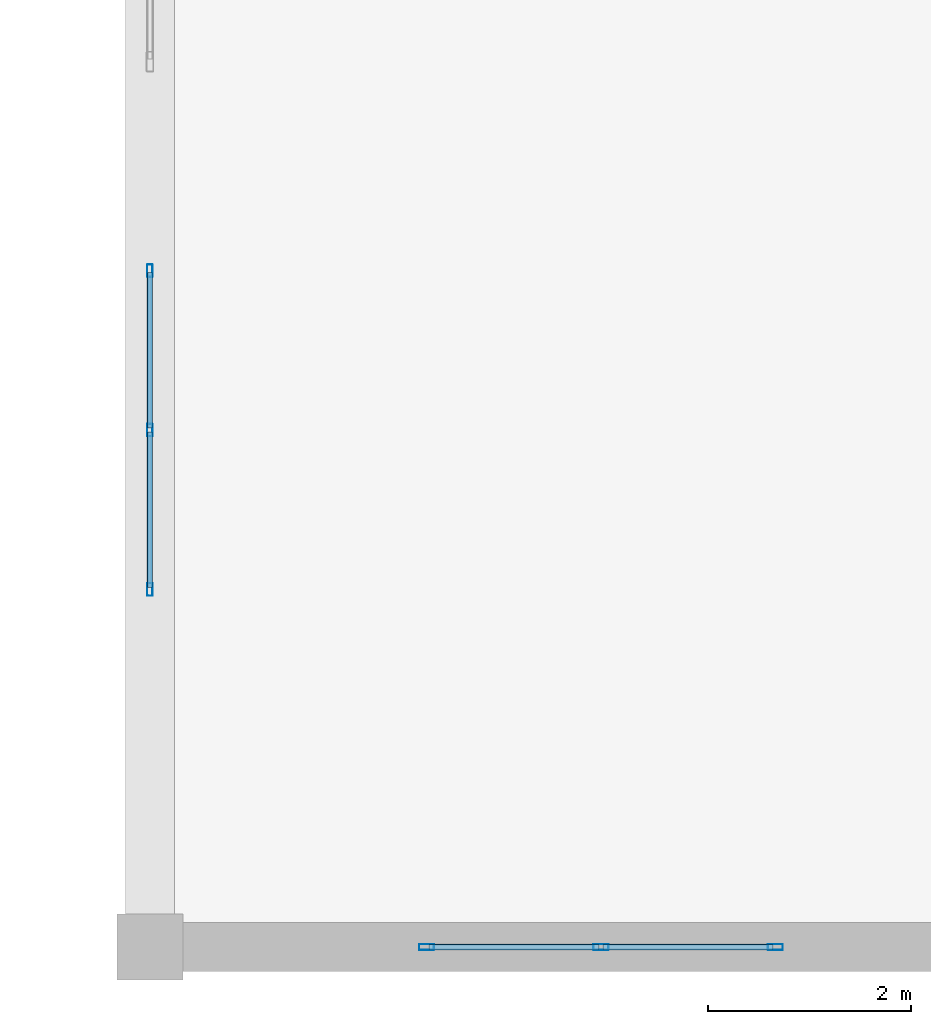
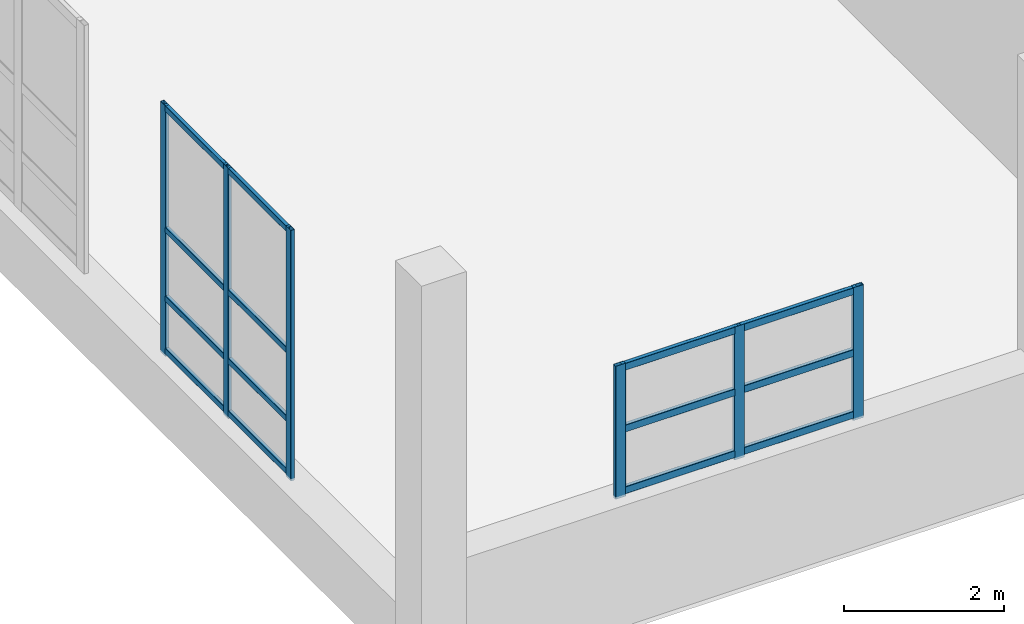
# One storey, part 9 of 197: 20 members, 2 elements without a shape of their own.
"""IFC4 building model written with IfcOpenShell, lengths in metres."""

from ifc_helpers import new_model, si_unit, derived_unit, direction, frame, origin, origin_2d, place, context, subcontext, project, spatial, hollow_rectangle, extrude, material, layer, layer_set, material_profile, profile_set, type_object, element, aggregate, save


model = new_model("IFC4")

# Units and contexts
model_context = context("Model", 3, precision=1e-05, world=origin(), true_north=direction((0.0, 1.0)))
body_context = subcontext(model_context, "Body", "Model", "MODEL_VIEW")
ifc_project = project(units=[si_unit("LENGTHUNIT", "METRE"), si_unit("AREAUNIT", "SQUARE_METRE"), si_unit("VOLUMEUNIT", "CUBIC_METRE"), si_unit("PLANEANGLEUNIT", "RADIAN"), si_unit("MASSUNIT", "GRAM", prefix="KILO"), derived_unit("THERMALTRANSMITTANCEUNIT", [(si_unit("POWERUNIT", "WATT"), 1), (si_unit("LENGTHUNIT", "METRE"), -2), (si_unit("THERMODYNAMICTEMPERATUREUNIT", "KELVIN"), -1)])], contexts=[model_context])

# Site, building, storey
site_placement = place(None, origin())
site = spatial("IfcSite", under=ifc_project, at=site_placement, CompositionType="ELEMENT")
building_placement = place(site_placement, origin())
building = spatial("IfcBuilding", under=site, at=building_placement, Name="Almenara Railside Exhibition Hall", CompositionType="ELEMENT")
storey_placement = place(building_placement, frame((0.0, 0.0, 5.39990234375)))
storey = spatial("IfcBuildingStorey", under=building, at=storey_placement, Name="L01", CompositionType="ELEMENT", Elevation=5.39990234375)

# Curtain wall, members
ifc_material_1 = material(Name="Bronze-anodised aluminium and low-E double glazing", Category="aluminium")
ifc_layer_1 = layer(ifc_material_1, 0.179931640625, Name="Bronze-anodised aluminium and low-E double glazing")
ifc_layer_set_1 = layer_set([ifc_layer_1], Name="Bronze-anodised aluminium and low-E double glazing")
curtain_wall_type_1 = type_object("IfcCurtainWallType", Name="Scroll Gable Side Curtain Wall 3200x3800", PredefinedType="NOTDEFINED", material=ifc_layer_set_1)
curtain_wall_1_placement = place(storey_placement, origin())
curtain_wall_1 = element("IfcCurtainWall", 1, at=curtain_wall_1_placement, inside=storey, type_object=curtain_wall_type_1, Name="Curtain wall CW-G4-107", PredefinedType="NOTDEFINED")
ifc_material_2 = material(Name="Bronze-anodised aluminium", Category="aluminium")
ifc_material_profile_1 = material_profile(ifc_material_2, hollow_rectangle(XDim=0.054931640625, YDim=0.125, WallThickness=0.0029296875, InnerFilletRadius=0.0029296875, OuterFilletRadius=0.006103515625, at=origin_2d()), Name="ALU-MUL 55x125x3")
ifc_profile_set_1 = profile_set([ifc_material_profile_1], Name="Bronze-anodised aluminium")
member_type_1 = type_object("IfcMemberType", Name="Curtain Wall Mullion 55x125x3", PredefinedType="MULLION", material=ifc_profile_set_1)
member_1_placement = place(storey_placement, frame((3.0, 3.527587890625, 0.9150390625), z_axis=(0.0, 0.0, 1.0), x_axis=(-1.0, 0.0, 0.0)))
member_1 = element("IfcMember", 2, at=member_1_placement, type_object=member_type_1, Name="CW-G4-107 mullion 1", PredefinedType="MULLION", context=body_context, shape_type="SweptSolid", body=[
    extrude(hollow_rectangle(XDim=0.054931640625, YDim=0.125, WallThickness=0.0029296875, InnerFilletRadius=0.0029296875, OuterFilletRadius=0.006103515625, at=origin_2d()), origin(), (0.0, 0.0, 1.0), 3.8349609375),
])
member_2_placement = place(storey_placement, frame((3.0, 5.10009765625, 0.9150390625), z_axis=(0.0, 0.0, 1.0), x_axis=(-1.0, 0.0, 0.0)))
member_2 = element("IfcMember", 3, at=member_2_placement, type_object=member_type_1, Name="CW-G4-107 mullion 2", PredefinedType="MULLION", context=body_context, shape_type="SweptSolid", body=[
    extrude(hollow_rectangle(XDim=0.054931640625, YDim=0.125, WallThickness=0.0029296875, InnerFilletRadius=0.0029296875, OuterFilletRadius=0.006103515625, at=origin_2d()), origin(), (0.0, 0.0, 1.0), 3.8349609375),
])
member_3_placement = place(storey_placement, frame((3.0, 6.672607421875, 0.9150390625), z_axis=(0.0, 0.0, 1.0), x_axis=(-1.0, 0.0, 0.0)))
member_3 = element("IfcMember", 4, at=member_3_placement, type_object=member_type_1, Name="CW-G4-107 mullion 3", PredefinedType="MULLION", context=body_context, shape_type="SweptSolid", body=[
    extrude(hollow_rectangle(XDim=0.054931640625, YDim=0.125, WallThickness=0.0029296875, InnerFilletRadius=0.0029296875, OuterFilletRadius=0.006103515625, at=origin_2d()), origin(), (0.0, 0.0, 1.0), 3.8349609375),
])

ifc_layer_2 = layer(ifc_material_1, 0.179931640625, Name="Bronze-anodised aluminium and low-E double glazing")
ifc_layer_set_2 = layer_set([ifc_layer_2], Name="Bronze-anodised aluminium and low-E double glazing")
curtain_wall_type_2 = type_object("IfcCurtainWallType", Name="Plenary Clerestory Curtain Wall 3500x2000", PredefinedType="NOTDEFINED", material=ifc_layer_set_2)
curtain_wall_2_placement = place(storey_placement, origin())
curtain_wall_2 = element("IfcCurtainWall", 5, at=curtain_wall_2_placement, inside=storey, type_object=curtain_wall_type_2, Name="Curtain wall CW-CL5-093", PredefinedType="NOTDEFINED")
ifc_material_profile_2 = material_profile(ifc_material_2, hollow_rectangle(XDim=0.06005859375, YDim=0.14990234375, WallThickness=0.00341796875, InnerFilletRadius=0.00341796875, OuterFilletRadius=0.007080078125, at=origin_2d()), Name="ALU-MUL 60x150x3.5")
ifc_profile_set_2 = profile_set([ifc_material_profile_2], Name="Bronze-anodised aluminium")
member_type_2 = type_object("IfcMemberType", Name="Curtain Wall Mullion 60x150x3.5", PredefinedType="MULLION", material=ifc_profile_set_2)
member_4_placement = place(storey_placement, frame((5.72998046875, 0.0, 1.815185546875), z_axis=(0.0, 0.0, 1.0), x_axis=(0.0, 1.0, 0.0)))
member_4 = element("IfcMember", 6, at=member_4_placement, type_object=member_type_2, Name="CW-CL5-093 mullion 1", PredefinedType="MULLION", context=body_context, shape_type="SweptSolid", body=[
    extrude(hollow_rectangle(XDim=0.06005859375, YDim=0.14990234375, WallThickness=0.00341796875, InnerFilletRadius=0.00341796875, OuterFilletRadius=0.007080078125, at=origin_2d()), origin(), (0.0, 0.0, 1.0), 2.034912109375),
])
member_5_placement = place(storey_placement, frame((7.449951171875, 0.0, 1.815185546875), z_axis=(0.0, 0.0, 1.0), x_axis=(0.0, 1.0, 0.0)))
member_5 = element("IfcMember", 7, at=member_5_placement, type_object=member_type_2, Name="CW-CL5-093 mullion 2", PredefinedType="MULLION", context=body_context, shape_type="SweptSolid", body=[
    extrude(hollow_rectangle(XDim=0.06005859375, YDim=0.14990234375, WallThickness=0.00341796875, InnerFilletRadius=0.00341796875, OuterFilletRadius=0.007080078125, at=origin_2d()), origin(), (0.0, 0.0, 1.0), 2.034912109375),
])
member_6_placement = place(storey_placement, frame((9.169921875, 0.0, 1.815185546875), z_axis=(0.0, 0.0, 1.0), x_axis=(0.0, 1.0, 0.0)))
member_6 = element("IfcMember", 8, at=member_6_placement, type_object=member_type_2, Name="CW-CL5-093 mullion 3", PredefinedType="MULLION", context=body_context, shape_type="SweptSolid", body=[
    extrude(hollow_rectangle(XDim=0.06005859375, YDim=0.14990234375, WallThickness=0.00341796875, InnerFilletRadius=0.00341796875, OuterFilletRadius=0.007080078125, at=origin_2d()), origin(), (0.0, 0.0, 1.0), 2.034912109375),
])

# Member
ifc_material_profile_3 = material_profile(ifc_material_2, hollow_rectangle(XDim=0.054931640625, YDim=0.090087890625, WallThickness=0.0029296875, InnerFilletRadius=0.0029296875, OuterFilletRadius=0.006103515625, at=origin_2d()), Name="ALU-TRN 55x90x3")
ifc_profile_set_3 = profile_set([ifc_material_profile_3], Name="Bronze-anodised aluminium")
member_type_3 = type_object("IfcMemberType", Name="Curtain Wall Transom 55x90x3", PredefinedType="USERDEFINED", material=ifc_profile_set_3)
member_7_placement = place(storey_placement, frame((3.0, 3.547119140625, 0.9951171875), z_axis=(0.0, 1.0, 0.0), x_axis=(-1.0, 0.0, 0.0)))
member_7 = element("IfcMember", 9, at=member_7_placement, type_object=member_type_3, Name="CW-G4-107 transom 1.1", ObjectType="TRANSOM", PredefinedType="USERDEFINED", context=body_context, shape_type="SweptSolid", body=[
    extrude(hollow_rectangle(XDim=0.054931640625, YDim=0.090087890625, WallThickness=0.0029296875, InnerFilletRadius=0.0029296875, OuterFilletRadius=0.006103515625, at=origin_2d()), origin(), (0.0, 0.0, 1.0), 1.533447265625),
])

member_8_placement = place(storey_placement, frame((3.0, 3.547119140625, 1.800048828125), z_axis=(0.0, 1.0, 0.0), x_axis=(-1.0, 0.0, 0.0)))
member_8 = element("IfcMember", 10, at=member_8_placement, type_object=member_type_3, Name="CW-G4-107 transom 1.2", ObjectType="TRANSOM", PredefinedType="USERDEFINED", context=body_context, shape_type="SweptSolid", body=[
    extrude(hollow_rectangle(XDim=0.054931640625, YDim=0.090087890625, WallThickness=0.0029296875, InnerFilletRadius=0.0029296875, OuterFilletRadius=0.006103515625, at=origin_2d()), origin(), (0.0, 0.0, 1.0), 1.533447265625),
])

member_9_placement = place(storey_placement, frame((3.0, 3.547119140625, 2.85009765625), z_axis=(0.0, 1.0, 0.0), x_axis=(-1.0, 0.0, 0.0)))
member_9 = element("IfcMember", 11, at=member_9_placement, type_object=member_type_3, Name="CW-G4-107 transom 1.3", ObjectType="TRANSOM", PredefinedType="USERDEFINED", context=body_context, shape_type="SweptSolid", body=[
    extrude(hollow_rectangle(XDim=0.054931640625, YDim=0.090087890625, WallThickness=0.0029296875, InnerFilletRadius=0.0029296875, OuterFilletRadius=0.006103515625, at=origin_2d()), origin(), (0.0, 0.0, 1.0), 1.533447265625),
])

member_10_placement = place(storey_placement, frame((3.0, 3.547119140625, 4.705078125), z_axis=(0.0, 1.0, 0.0), x_axis=(-1.0, 0.0, 0.0)))
member_10 = element("IfcMember", 12, at=member_10_placement, type_object=member_type_3, Name="CW-G4-107 transom 1.4", ObjectType="TRANSOM", PredefinedType="USERDEFINED", context=body_context, shape_type="SweptSolid", body=[
    extrude(hollow_rectangle(XDim=0.054931640625, YDim=0.090087890625, WallThickness=0.0029296875, InnerFilletRadius=0.0029296875, OuterFilletRadius=0.006103515625, at=origin_2d()), origin(), (0.0, 0.0, 1.0), 1.533447265625),
])

member_11_placement = place(storey_placement, frame((3.0, 5.119384765625, 0.9951171875), z_axis=(0.0, 1.0, 0.0), x_axis=(-1.0, 0.0, 0.0)))
member_11 = element("IfcMember", 13, at=member_11_placement, type_object=member_type_3, Name="CW-G4-107 transom 2.1", ObjectType="TRANSOM", PredefinedType="USERDEFINED", context=body_context, shape_type="SweptSolid", body=[
    extrude(hollow_rectangle(XDim=0.054931640625, YDim=0.090087890625, WallThickness=0.0029296875, InnerFilletRadius=0.0029296875, OuterFilletRadius=0.006103515625, at=origin_2d()), origin(), (0.0, 0.0, 1.0), 1.53369140625),
])

member_12_placement = place(storey_placement, frame((3.0, 5.119384765625, 1.800048828125), z_axis=(0.0, 1.0, 0.0), x_axis=(-1.0, 0.0, 0.0)))
member_12 = element("IfcMember", 14, at=member_12_placement, type_object=member_type_3, Name="CW-G4-107 transom 2.2", ObjectType="TRANSOM", PredefinedType="USERDEFINED", context=body_context, shape_type="SweptSolid", body=[
    extrude(hollow_rectangle(XDim=0.054931640625, YDim=0.090087890625, WallThickness=0.0029296875, InnerFilletRadius=0.0029296875, OuterFilletRadius=0.006103515625, at=origin_2d()), origin(), (0.0, 0.0, 1.0), 1.53369140625),
])

member_13_placement = place(storey_placement, frame((3.0, 5.119384765625, 2.85009765625), z_axis=(0.0, 1.0, 0.0), x_axis=(-1.0, 0.0, 0.0)))
member_13 = element("IfcMember", 15, at=member_13_placement, type_object=member_type_3, Name="CW-G4-107 transom 2.3", ObjectType="TRANSOM", PredefinedType="USERDEFINED", context=body_context, shape_type="SweptSolid", body=[
    extrude(hollow_rectangle(XDim=0.054931640625, YDim=0.090087890625, WallThickness=0.0029296875, InnerFilletRadius=0.0029296875, OuterFilletRadius=0.006103515625, at=origin_2d()), origin(), (0.0, 0.0, 1.0), 1.53369140625),
])

member_14_placement = place(storey_placement, frame((3.0, 5.119384765625, 4.705078125), z_axis=(0.0, 1.0, 0.0), x_axis=(-1.0, 0.0, 0.0)))
member_14 = element("IfcMember", 16, at=member_14_placement, type_object=member_type_3, Name="CW-G4-107 transom 2.4", ObjectType="TRANSOM", PredefinedType="USERDEFINED", context=body_context, shape_type="SweptSolid", body=[
    extrude(hollow_rectangle(XDim=0.054931640625, YDim=0.090087890625, WallThickness=0.0029296875, InnerFilletRadius=0.0029296875, OuterFilletRadius=0.006103515625, at=origin_2d()), origin(), (0.0, 0.0, 1.0), 1.53369140625),
])

aggregate(curtain_wall_1, [member_1, member_2, member_3, member_7, member_8, member_9, member_10, member_11, member_12, member_13, member_14])

ifc_material_profile_4 = material_profile(ifc_material_2, hollow_rectangle(XDim=0.06005859375, YDim=0.110107421875, WallThickness=0.0029296875, InnerFilletRadius=0.0029296875, OuterFilletRadius=0.006103515625, at=origin_2d()), Name="ALU-TRN 60x110x3")
ifc_profile_set_4 = profile_set([ifc_material_profile_4], Name="Bronze-anodised aluminium")
member_type_4 = type_object("IfcMemberType", Name="Curtain Wall Transom 60x110x3", PredefinedType="USERDEFINED", material=ifc_profile_set_4)
member_15_placement = place(storey_placement, frame((5.751953125, 0.0, 1.905029296875), z_axis=(1.0, 0.0, 0.0), x_axis=(0.0, 1.0, 0.0)))
member_15 = element("IfcMember", 17, at=member_15_placement, type_object=member_type_4, Name="CW-CL5-093 transom 1.1", ObjectType="TRANSOM", PredefinedType="USERDEFINED", context=body_context, shape_type="SweptSolid", body=[
    extrude(hollow_rectangle(XDim=0.06005859375, YDim=0.110107421875, WallThickness=0.0029296875, InnerFilletRadius=0.0029296875, OuterFilletRadius=0.006103515625, at=origin_2d()), origin(), (0.0, 0.0, 1.0), 1.676025390625),
])

member_16_placement = place(storey_placement, frame((5.751953125, 0.0, 2.85009765625), z_axis=(1.0, 0.0, 0.0), x_axis=(0.0, 1.0, 0.0)))
member_16 = element("IfcMember", 18, at=member_16_placement, type_object=member_type_4, Name="CW-CL5-093 transom 1.2", ObjectType="TRANSOM", PredefinedType="USERDEFINED", context=body_context, shape_type="SweptSolid", body=[
    extrude(hollow_rectangle(XDim=0.06005859375, YDim=0.110107421875, WallThickness=0.0029296875, InnerFilletRadius=0.0029296875, OuterFilletRadius=0.006103515625, at=origin_2d()), origin(), (0.0, 0.0, 1.0), 1.676025390625),
])

member_17_placement = place(storey_placement, frame((5.751953125, 0.0, 3.795166015625), z_axis=(1.0, 0.0, 0.0), x_axis=(0.0, 1.0, 0.0)))
member_17 = element("IfcMember", 19, at=member_17_placement, type_object=member_type_4, Name="CW-CL5-093 transom 1.3", ObjectType="TRANSOM", PredefinedType="USERDEFINED", context=body_context, shape_type="SweptSolid", body=[
    extrude(hollow_rectangle(XDim=0.06005859375, YDim=0.110107421875, WallThickness=0.0029296875, InnerFilletRadius=0.0029296875, OuterFilletRadius=0.006103515625, at=origin_2d()), origin(), (0.0, 0.0, 1.0), 1.676025390625),
])

member_18_placement = place(storey_placement, frame((7.471923828125, 0.0, 1.905029296875), z_axis=(1.0, 0.0, 0.0), x_axis=(0.0, 1.0, 0.0)))
member_18 = element("IfcMember", 20, at=member_18_placement, type_object=member_type_4, Name="CW-CL5-093 transom 2.1", ObjectType="TRANSOM", PredefinedType="USERDEFINED", context=body_context, shape_type="SweptSolid", body=[
    extrude(hollow_rectangle(XDim=0.06005859375, YDim=0.110107421875, WallThickness=0.0029296875, InnerFilletRadius=0.0029296875, OuterFilletRadius=0.006103515625, at=origin_2d()), origin(), (0.0, 0.0, 1.0), 1.676025390625),
])

member_19_placement = place(storey_placement, frame((7.471923828125, 0.0, 2.85009765625), z_axis=(1.0, 0.0, 0.0), x_axis=(0.0, 1.0, 0.0)))
member_19 = element("IfcMember", 21, at=member_19_placement, type_object=member_type_4, Name="CW-CL5-093 transom 2.2", ObjectType="TRANSOM", PredefinedType="USERDEFINED", context=body_context, shape_type="SweptSolid", body=[
    extrude(hollow_rectangle(XDim=0.06005859375, YDim=0.110107421875, WallThickness=0.0029296875, InnerFilletRadius=0.0029296875, OuterFilletRadius=0.006103515625, at=origin_2d()), origin(), (0.0, 0.0, 1.0), 1.676025390625),
])

member_20_placement = place(storey_placement, frame((7.471923828125, 0.0, 3.795166015625), z_axis=(1.0, 0.0, 0.0), x_axis=(0.0, 1.0, 0.0)))
member_20 = element("IfcMember", 22, at=member_20_placement, type_object=member_type_4, Name="CW-CL5-093 transom 2.3", ObjectType="TRANSOM", PredefinedType="USERDEFINED", context=body_context, shape_type="SweptSolid", body=[
    extrude(hollow_rectangle(XDim=0.06005859375, YDim=0.110107421875, WallThickness=0.0029296875, InnerFilletRadius=0.0029296875, OuterFilletRadius=0.006103515625, at=origin_2d()), origin(), (0.0, 0.0, 1.0), 1.676025390625),
])

aggregate(curtain_wall_2, [member_4, member_5, member_6, member_15, member_16, member_17, member_18, member_19, member_20])

save(model, "model.ifc")
